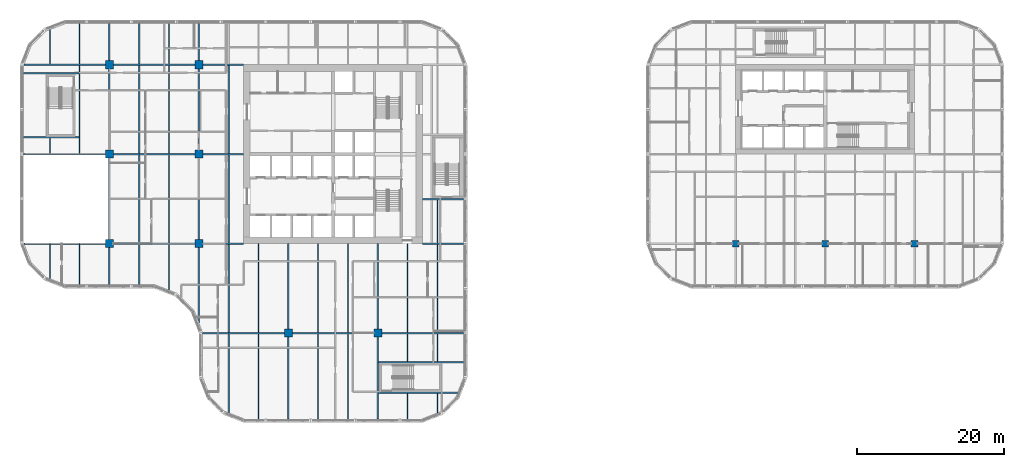
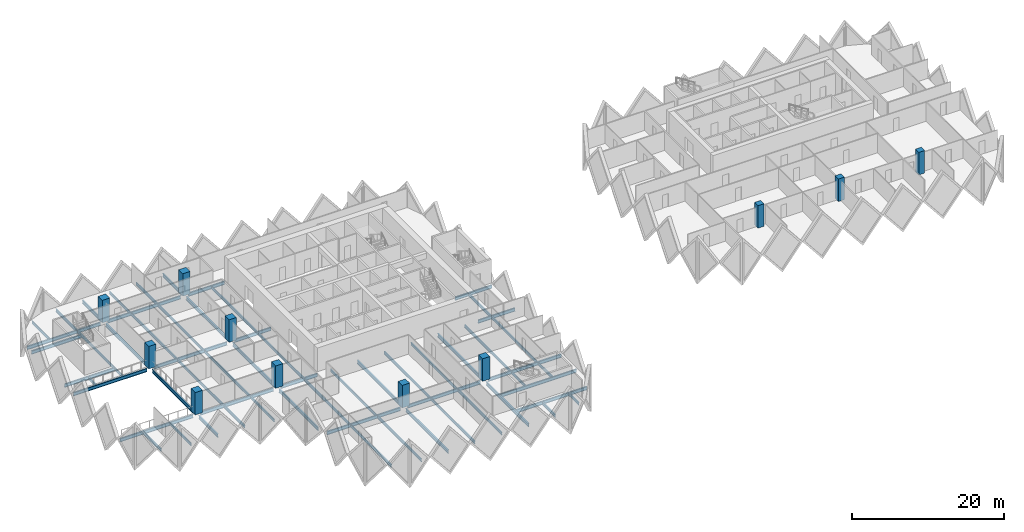
# One storey, part 1 of 19: 61 beams, 11 columns.
"""IFC4 building model written with IfcOpenShell, lengths in metres."""

from ifc_helpers import new_model, si_unit, direction, frame, origin, origin_2d, place, context, subcontext, project, spatial, rectangle, i_section, extrude, material, material_profile, profile_set, type_object, element, save


model = new_model("IFC4")

# Units and contexts
model_context = context("Model", 3, precision=1e-05, world=origin(), true_north=direction((0.0, 1.0)))
body_context = subcontext(model_context, "Body", "Model", "MODEL_VIEW")
ifc_project = project(units=[si_unit("LENGTHUNIT", "METRE"), si_unit("AREAUNIT", "SQUARE_METRE"), si_unit("VOLUMEUNIT", "CUBIC_METRE"), si_unit("PLANEANGLEUNIT", "RADIAN"), si_unit("MASSUNIT", "GRAM", prefix="KILO")], contexts=[model_context])

# Site, building, storey
site_placement = place(None, origin())
site = spatial("IfcSite", under=ifc_project, at=site_placement, CompositionType="ELEMENT")
building_placement = place(site_placement, origin())
building = spatial("IfcBuilding", under=site, at=building_placement, Name="Tessera Gate Towers", CompositionType="ELEMENT")
storey_placement = place(building_placement, frame((0.0, 0.0, 33.39990234375)))
storey = spatial("IfcBuildingStorey", under=building, at=storey_placement, Name="L07", CompositionType="ELEMENT", Elevation=33.39990234375)

# Columns
ifc_material_1 = material(Name="Concrete C70/85", Category="concrete")
ifc_material_profile_1 = material_profile(ifc_material_1, rectangle(XDim=1.10009765625, YDim=1.10009765625, at=origin_2d()), Name="RC 1100x1100")
ifc_profile_set_1 = profile_set([ifc_material_profile_1], Name="Concrete C70/85")
column_type_1 = type_object("IfcColumnType", Name="COLUMN RC 1100x1100", PredefinedType="COLUMN", material=ifc_profile_set_1)
for number, where, z_axis, x_axis, name in (
    (1, (12.199951171875, 24.39990234375, 0.0), (0.0, 0.0, 1.0), (1.0, 0.0, 0.0), "T1-COL-2C-L07"),
    (2, (12.199951171875, 36.60009765625, 0.0), (0.0, 0.0, 1.0), (1.0, 0.0, 0.0), "T1-COL-2D-L07"),
    (3, (12.199951171875, 48.800048828125, 0.0), (0.0, 0.0, 1.0), (1.0, 0.0, 0.0), "T1-COL-2E-L07"),
    (4, (24.39990234375, 24.39990234375, 0.0), (0.0, 0.0, 1.0), (1.0, 0.0, 0.0), "T1-COL-3C-L07"),
    (5, (24.39990234375, 36.60009765625, 0.0), (0.0, 0.0, 1.0), (1.0, 0.0, 0.0), "T1-COL-3D-L07"),
    (6, (24.39990234375, 48.800048828125, 0.0), (0.0, 0.0, 1.0), (1.0, 0.0, 0.0), "T1-COL-3E-L07"),
    (7, (36.60009765625, 12.199951171875, 0.0), (0.0, 0.0, 1.0), (1.0, 0.0, 0.0), "T1-COL-4B-L07"),
    (8, (48.800048828125, 12.199951171875, 0.0), (0.0, 0.0, 1.0), (1.0, 0.0, 0.0), "T1-COL-5B-L07"),
):
    element("IfcColumn", number, at=place(storey_placement, frame(where, z_axis=z_axis, x_axis=x_axis)), inside=storey, type_object=column_type_1, Name=name, PredefinedType="COLUMN", context=body_context, shape_type="SweptSolid", body=[
        extrude(rectangle(XDim=1.10009765625, YDim=1.10009765625, at=origin_2d()), origin(), (0.0, 0.0, 1.0), 3.60009765625),
    ])
ifc_material_2 = material(Name="Concrete C70/85", Category="concrete")
ifc_material_profile_2 = material_profile(ifc_material_2, rectangle(XDim=0.89990234375, YDim=0.89990234375, at=origin_2d()), Name="RC 900x900")
ifc_profile_set_2 = profile_set([ifc_material_profile_2], Name="Concrete C70/85")
column_type_2 = type_object("IfcColumnType", Name="COLUMN RC 900x900", PredefinedType="COLUMN", material=ifc_profile_set_2)
for number, where, z_axis, x_axis, name in (
    (9, (97.60009765625, 24.39990234375, 0.0), (0.0, 0.0, 1.0), (1.0, 0.0, 0.0), "T2-COL-9C-L07"),
    (10, (109.800048828125, 24.39990234375, 0.0), (0.0, 0.0, 1.0), (1.0, 0.0, 0.0), "T2-COL-10C-L07"),
    (11, (122.0, 24.39990234375, 0.0), (0.0, 0.0, 1.0), (1.0, 0.0, 0.0), "T2-COL-11C-L07"),
):
    element("IfcColumn", number, at=place(storey_placement, frame(where, z_axis=z_axis, x_axis=x_axis)), inside=storey, type_object=column_type_2, Name=name, PredefinedType="COLUMN", context=body_context, shape_type="SweptSolid", body=[
        extrude(rectangle(XDim=0.89990234375, YDim=0.89990234375, at=origin_2d()), origin(), (0.0, 0.0, 1.0), 3.60009765625),
    ])

# Beams
ifc_material_3 = material(Name="Steel 350W", Category="steel")
ifc_material_profile_3 = material_profile(ifc_material_3, i_section(OverallWidth=0.208984375, OverallDepth=0.532958984375, WebThickness=0.01025390625, FlangeThickness=0.015625, at=origin_2d()), Name="W530x92")
ifc_profile_set_3 = profile_set([ifc_material_profile_3], Name="Steel 350W")
beam_type_1 = type_object("IfcBeamType", Name="FLOOR GIRDER W530x92", PredefinedType="BEAM", material=ifc_profile_set_3)
beam_1_placement = place(storey_placement, frame((24.89892578125, 12.199951171875, -0.46630859375), z_axis=(1.0, 0.0, 0.0), x_axis=(0.0, 1.0, 0.0)))
element("IfcBeam", 12, at=beam_1_placement, inside=storey, type_object=beam_type_1, Name="T1-GD-L07-1157", PredefinedType="BEAM", context=body_context, shape_type="SweptSolid", body=[
    extrude(i_section(OverallWidth=0.208984375, OverallDepth=0.532958984375, WebThickness=0.01025390625, FlangeThickness=0.015625, at=origin_2d()), origin(), (0.0, 0.0, 1.0), 11.151123046875),
])
beam_2_placement = place(storey_placement, frame((37.14990234375, 12.199951171875, -0.46630859375), z_axis=(1.0, 0.0, 0.0), x_axis=(0.0, 1.0, 0.0)))
element("IfcBeam", 13, at=beam_2_placement, inside=storey, type_object=beam_type_1, Name="T1-GD-L07-1158", PredefinedType="BEAM", context=body_context, shape_type="SweptSolid", body=[
    extrude(i_section(OverallWidth=0.208984375, OverallDepth=0.532958984375, WebThickness=0.01025390625, FlangeThickness=0.015625, at=origin_2d()), origin(), (0.0, 0.0, 1.0), 11.10009765625),
])
beam_3_placement = place(storey_placement, frame((49.35009765625, 12.199951171875, -0.46630859375), z_axis=(1.0, 0.0, 0.0), x_axis=(0.0, 1.0, 0.0)))
element("IfcBeam", 14, at=beam_3_placement, inside=storey, type_object=beam_type_1, Name="T1-GD-L07-1159", PredefinedType="BEAM", context=body_context, shape_type="SweptSolid", body=[
    extrude(i_section(OverallWidth=0.208984375, OverallDepth=0.532958984375, WebThickness=0.01025390625, FlangeThickness=0.015625, at=origin_2d()), origin(), (0.0, 0.0, 1.0), 11.15087890625),
])
beam_4_placement = place(storey_placement, frame((0.534912109375, 24.39990234375, -0.46630859375), z_axis=(1.0, 0.0, 0.0), x_axis=(0.0, 1.0, 0.0)))
element("IfcBeam", 15, at=beam_4_placement, inside=storey, type_object=beam_type_1, Name="T1-GD-L07-1160", PredefinedType="BEAM", context=body_context, shape_type="SweptSolid", body=[
    extrude(i_section(OverallWidth=0.208984375, OverallDepth=0.532958984375, WebThickness=0.01025390625, FlangeThickness=0.015625, at=origin_2d()), origin(), (0.0, 0.0, 1.0), 11.114990234375),
])
beam_5_placement = place(storey_placement, frame((12.75, 24.39990234375, -0.46630859375), z_axis=(1.0, 0.0, 0.0), x_axis=(0.0, 1.0, 0.0)))
element("IfcBeam", 16, at=beam_5_placement, inside=storey, type_object=beam_type_1, Name="T1-GD-L07-1161", PredefinedType="BEAM", context=body_context, shape_type="SweptSolid", body=[
    extrude(i_section(OverallWidth=0.208984375, OverallDepth=0.532958984375, WebThickness=0.01025390625, FlangeThickness=0.015625, at=origin_2d()), origin(), (0.0, 0.0, 1.0), 11.10009765625),
])
beam_6_placement = place(storey_placement, frame((24.949951171875, 24.39990234375, -0.46630859375), z_axis=(1.0, 0.0, 0.0), x_axis=(0.0, 1.0, 0.0)))
element("IfcBeam", 17, at=beam_6_placement, inside=storey, type_object=beam_type_1, Name="T1-GD-L07-1162", PredefinedType="BEAM", context=body_context, shape_type="SweptSolid", body=[
    extrude(i_section(OverallWidth=0.208984375, OverallDepth=0.532958984375, WebThickness=0.01025390625, FlangeThickness=0.015625, at=origin_2d()), origin(), (0.0, 0.0, 1.0), 5.549072265625),
])
beam_7_placement = place(storey_placement, frame((54.90087890625, 24.39990234375, -0.46630859375), z_axis=(1.0, 0.0, 0.0), x_axis=(0.0, 1.0, 0.0)))
element("IfcBeam", 18, at=beam_7_placement, inside=storey, type_object=beam_type_1, Name="T1-GD-L07-1163", PredefinedType="BEAM", context=body_context, shape_type="SweptSolid", body=[
    extrude(i_section(OverallWidth=0.208984375, OverallDepth=0.532958984375, WebThickness=0.01025390625, FlangeThickness=0.015625, at=origin_2d()), origin(), (0.0, 0.0, 1.0), 5.60009765625),
])
beam_8_placement = place(storey_placement, frame((0.4990234375, 36.60009765625, -0.46630859375), z_axis=(1.0, 0.0, 0.0), x_axis=(0.0, 1.0, 0.0)))
element("IfcBeam", 19, at=beam_8_placement, inside=storey, type_object=beam_type_1, Name="T1-GD-L07-1164", PredefinedType="BEAM", context=body_context, shape_type="SweptSolid", body=[
    extrude(i_section(OverallWidth=0.208984375, OverallDepth=0.532958984375, WebThickness=0.01025390625, FlangeThickness=0.015625, at=origin_2d()), origin(), (0.0, 0.0, 1.0), 11.15087890625),
])
beam_9_placement = place(storey_placement, frame((12.75, 36.60009765625, -0.46630859375), z_axis=(1.0, 0.0, 0.0), x_axis=(0.0, 1.0, 0.0)))
element("IfcBeam", 20, at=beam_9_placement, inside=storey, type_object=beam_type_1, Name="T1-GD-L07-1165", PredefinedType="BEAM", context=body_context, shape_type="SweptSolid", body=[
    extrude(i_section(OverallWidth=0.208984375, OverallDepth=0.532958984375, WebThickness=0.01025390625, FlangeThickness=0.015625, at=origin_2d()), origin(), (0.0, 0.0, 1.0), 11.10009765625),
])
beam_10_placement = place(storey_placement, frame((24.949951171875, 36.60009765625, -0.46630859375), z_axis=(1.0, 0.0, 0.0), x_axis=(0.0, 1.0, 0.0)))
element("IfcBeam", 21, at=beam_10_placement, inside=storey, type_object=beam_type_1, Name="T1-GD-L07-1166", PredefinedType="BEAM", context=body_context, shape_type="SweptSolid", body=[
    extrude(i_section(OverallWidth=0.208984375, OverallDepth=0.532958984375, WebThickness=0.01025390625, FlangeThickness=0.015625, at=origin_2d()), origin(), (0.0, 0.0, 1.0), 5.551025390625),
])
beam_11_placement = place(storey_placement, frame((0.534912109375, 48.800048828125, -0.46630859375), z_axis=(1.0, 0.0, 0.0), x_axis=(0.0, 1.0, 0.0)))
element("IfcBeam", 22, at=beam_11_placement, inside=storey, type_object=beam_type_1, Name="T1-GD-L07-1168", PredefinedType="BEAM", context=body_context, shape_type="SweptSolid", body=[
    extrude(i_section(OverallWidth=0.208984375, OverallDepth=0.532958984375, WebThickness=0.01025390625, FlangeThickness=0.015625, at=origin_2d()), origin(), (0.0, 0.0, 1.0), 11.114990234375),
])
beam_12_placement = place(storey_placement, frame((12.75, 48.800048828125, -0.46630859375), z_axis=(1.0, 0.0, 0.0), x_axis=(0.0, 1.0, 0.0)))
element("IfcBeam", 23, at=beam_12_placement, inside=storey, type_object=beam_type_1, Name="T1-GD-L07-1169", PredefinedType="BEAM", context=body_context, shape_type="SweptSolid", body=[
    extrude(i_section(OverallWidth=0.208984375, OverallDepth=0.532958984375, WebThickness=0.01025390625, FlangeThickness=0.015625, at=origin_2d()), origin(), (0.0, 0.0, 1.0), 11.10009765625),
])
beam_13_placement = place(storey_placement, frame((24.949951171875, 48.800048828125, -0.46630859375), z_axis=(1.0, 0.0, 0.0), x_axis=(0.0, 1.0, 0.0)))
element("IfcBeam", 24, at=beam_13_placement, inside=storey, type_object=beam_type_1, Name="T1-GD-L07-1170", PredefinedType="BEAM", context=body_context, shape_type="SweptSolid", body=[
    extrude(i_section(OverallWidth=0.208984375, OverallDepth=0.532958984375, WebThickness=0.01025390625, FlangeThickness=0.015625, at=origin_2d()), origin(), (0.0, 0.0, 1.0), 5.549072265625),
])
beam_14_placement = place(storey_placement, frame((12.199951171875, 18.799072265625, -0.46630859375), z_axis=(0.0, 1.0, 0.0), x_axis=(-1.0, 0.0, 0.0)))
element("IfcBeam", 25, at=beam_14_placement, inside=storey, type_object=beam_type_1, Name="T1-GD-L07-1172", PredefinedType="BEAM", context=body_context, shape_type="SweptSolid", body=[
    extrude(i_section(OverallWidth=0.208984375, OverallDepth=0.532958984375, WebThickness=0.01025390625, FlangeThickness=0.015625, at=origin_2d()), origin(), (0.0, 0.0, 1.0), 5.051025390625),
])
for number, where, z_axis, x_axis, name in (
    (26, (12.199951171875, 24.949951171875, -0.46630859375), (0.0, 1.0, 0.0), (-1.0, 0.0, 0.0), "T1-GD-L07-1173"),
    (27, (12.199951171875, 37.14990234375, -0.46630859375), (0.0, 1.0, 0.0), (-1.0, 0.0, 0.0), "T1-GD-L07-1174"),
):
    element("IfcBeam", number, at=place(storey_placement, frame(where, z_axis=z_axis, x_axis=x_axis)), inside=storey, type_object=beam_type_1, Name=name, PredefinedType="BEAM", context=body_context, shape_type="SweptSolid", body=[
        extrude(i_section(OverallWidth=0.208984375, OverallDepth=0.532958984375, WebThickness=0.01025390625, FlangeThickness=0.015625, at=origin_2d()), origin(), (0.0, 0.0, 1.0), 11.10009765625),
    ])
beam_15_placement = place(storey_placement, frame((12.199951171875, 49.35009765625, -0.46630859375), z_axis=(0.0, 1.0, 0.0), x_axis=(-1.0, 0.0, 0.0)))
element("IfcBeam", 28, at=beam_15_placement, inside=storey, type_object=beam_type_1, Name="T1-GD-L07-1175", PredefinedType="BEAM", context=body_context, shape_type="SweptSolid", body=[
    extrude(i_section(OverallWidth=0.208984375, OverallDepth=0.532958984375, WebThickness=0.01025390625, FlangeThickness=0.015625, at=origin_2d()), origin(), (0.0, 0.0, 1.0), 5.05078125),
])
beam_16_placement = place(storey_placement, frame((24.39990234375, 13.58642578125, -0.46630859375), z_axis=(0.0, 1.0, 0.0), x_axis=(-1.0, 0.0, 0.0)))
element("IfcBeam", 29, at=beam_16_placement, inside=storey, type_object=beam_type_1, Name="T1-GD-L07-1176", PredefinedType="BEAM", context=body_context, shape_type="SweptSolid", body=[
    extrude(i_section(OverallWidth=0.208984375, OverallDepth=0.532958984375, WebThickness=0.01025390625, FlangeThickness=0.015625, at=origin_2d()), origin(), (0.0, 0.0, 1.0), 10.263671875),
])
for number, where, z_axis, x_axis, name in (
    (30, (24.39990234375, 24.949951171875, -0.46630859375), (0.0, 1.0, 0.0), (-1.0, 0.0, 0.0), "T1-GD-L07-1177"),
    (31, (24.39990234375, 37.14990234375, -0.46630859375), (0.0, 1.0, 0.0), (-1.0, 0.0, 0.0), "T1-GD-L07-1178"),
):
    element("IfcBeam", number, at=place(storey_placement, frame(where, z_axis=z_axis, x_axis=x_axis)), inside=storey, type_object=beam_type_1, Name=name, PredefinedType="BEAM", context=body_context, shape_type="SweptSolid", body=[
        extrude(i_section(OverallWidth=0.208984375, OverallDepth=0.532958984375, WebThickness=0.01025390625, FlangeThickness=0.015625, at=origin_2d()), origin(), (0.0, 0.0, 1.0), 11.10009765625),
    ])
beam_17_placement = place(storey_placement, frame((24.39990234375, 49.35009765625, -0.46630859375), z_axis=(0.0, 1.0, 0.0), x_axis=(-1.0, 0.0, 0.0)))
element("IfcBeam", 32, at=beam_17_placement, inside=storey, type_object=beam_type_1, Name="T1-GD-L07-1179", PredefinedType="BEAM", context=body_context, shape_type="SweptSolid", body=[
    extrude(i_section(OverallWidth=0.208984375, OverallDepth=0.532958984375, WebThickness=0.01025390625, FlangeThickness=0.015625, at=origin_2d()), origin(), (0.0, 0.0, 1.0), 5.05078125),
])
beam_18_placement = place(storey_placement, frame((36.60009765625, 0.4990234375, -0.46630859375), z_axis=(0.0, 1.0, 0.0), x_axis=(-1.0, 0.0, 0.0)))
element("IfcBeam", 33, at=beam_18_placement, inside=storey, type_object=beam_type_1, Name="T1-GD-L07-1180", PredefinedType="BEAM", context=body_context, shape_type="SweptSolid", body=[
    extrude(i_section(OverallWidth=0.208984375, OverallDepth=0.532958984375, WebThickness=0.01025390625, FlangeThickness=0.015625, at=origin_2d()), origin(), (0.0, 0.0, 1.0), 11.15087890625),
])
beam_19_placement = place(storey_placement, frame((36.60009765625, 12.75, -0.46630859375), z_axis=(0.0, 1.0, 0.0), x_axis=(-1.0, 0.0, 0.0)))
element("IfcBeam", 34, at=beam_19_placement, inside=storey, type_object=beam_type_1, Name="T1-GD-L07-1181", PredefinedType="BEAM", context=body_context, shape_type="SweptSolid", body=[
    extrude(i_section(OverallWidth=0.208984375, OverallDepth=0.532958984375, WebThickness=0.01025390625, FlangeThickness=0.015625, at=origin_2d()), origin(), (0.0, 0.0, 1.0), 11.64990234375),
])
beam_20_placement = place(storey_placement, frame((48.800048828125, 0.4990234375, -0.46630859375), z_axis=(0.0, 1.0, 0.0), x_axis=(-1.0, 0.0, 0.0)))
element("IfcBeam", 35, at=beam_20_placement, inside=storey, type_object=beam_type_1, Name="T1-GD-L07-1182", PredefinedType="BEAM", context=body_context, shape_type="SweptSolid", body=[
    extrude(i_section(OverallWidth=0.208984375, OverallDepth=0.532958984375, WebThickness=0.01025390625, FlangeThickness=0.015625, at=origin_2d()), origin(), (0.0, 0.0, 1.0), 11.15087890625),
])
beam_21_placement = place(storey_placement, frame((48.800048828125, 12.75, -0.46630859375), z_axis=(0.0, 1.0, 0.0), x_axis=(-1.0, 0.0, 0.0)))
element("IfcBeam", 36, at=beam_21_placement, inside=storey, type_object=beam_type_1, Name="T1-GD-L07-1183", PredefinedType="BEAM", context=body_context, shape_type="SweptSolid", body=[
    extrude(i_section(OverallWidth=0.208984375, OverallDepth=0.532958984375, WebThickness=0.01025390625, FlangeThickness=0.015625, at=origin_2d()), origin(), (0.0, 0.0, 1.0), 11.64990234375),
])
for number, where, z_axis, x_axis, name in (
    (37, (0.4990234375, 38.8798828125, -0.46630859375), (1.0, 0.0, 0.0), (0.0, 1.0, 0.0), "T1-GD-L07-1184"),
    (38, (0.4990234375, 47.6201171875, -0.46630859375), (1.0, 0.0, 0.0), (0.0, 1.0, 0.0), "T1-GD-L07-1185"),
):
    element("IfcBeam", number, at=place(storey_placement, frame(where, z_axis=z_axis, x_axis=x_axis)), inside=storey, type_object=beam_type_1, Name=name, PredefinedType="BEAM", context=body_context, shape_type="SweptSolid", body=[
        extrude(i_section(OverallWidth=0.208984375, OverallDepth=0.532958984375, WebThickness=0.01025390625, FlangeThickness=0.015625, at=origin_2d()), origin(), (0.0, 0.0, 1.0), 7.557861328125),
    ])
beam_22_placement = place(storey_placement, frame((48.87646484375, 4.080078125, -0.46630859375), z_axis=(1.0, 0.0, 0.0), x_axis=(0.0, 1.0, 0.0)))
element("IfcBeam", 39, at=beam_22_placement, inside=storey, type_object=beam_type_1, Name="T1-GD-L07-1186", PredefinedType="BEAM", context=body_context, shape_type="SweptSolid", body=[
    extrude(i_section(OverallWidth=0.208984375, OverallDepth=0.532958984375, WebThickness=0.01025390625, FlangeThickness=0.015625, at=origin_2d()), origin(), (0.0, 0.0, 1.0), 10.809326171875),
])
beam_23_placement = place(storey_placement, frame((48.87646484375, 8.219970703125, -0.46630859375), z_axis=(1.0, 0.0, 0.0), x_axis=(0.0, 1.0, 0.0)))
element("IfcBeam", 40, at=beam_23_placement, inside=storey, type_object=beam_type_1, Name="T1-GD-L07-1187", PredefinedType="BEAM", context=body_context, shape_type="SweptSolid", body=[
    extrude(i_section(OverallWidth=0.208984375, OverallDepth=0.532958984375, WebThickness=0.01025390625, FlangeThickness=0.015625, at=origin_2d()), origin(), (0.0, 0.0, 1.0), 11.62451171875),
])
beam_24_placement = place(storey_placement, frame((54.89892578125, 30.47998046875, -0.46630859375), z_axis=(1.0, 0.0, 0.0), x_axis=(0.0, 1.0, 0.0)))
element("IfcBeam", 41, at=beam_24_placement, inside=storey, type_object=beam_type_1, Name="T1-GD-L07-1188", PredefinedType="BEAM", context=body_context, shape_type="SweptSolid", body=[
    extrude(i_section(OverallWidth=0.208984375, OverallDepth=0.532958984375, WebThickness=0.01025390625, FlangeThickness=0.015625, at=origin_2d()), origin(), (0.0, 0.0, 1.0), 5.60205078125),
])
ifc_material_4 = material(Name="Steel 350W", Category="steel")
ifc_material_profile_4 = material_profile(ifc_material_4, i_section(OverallWidth=0.153076171875, OverallDepth=0.455078125, WebThickness=0.008056640625, FlangeThickness=0.01318359375, at=origin_2d()), Name="W460x60")
ifc_profile_set_4 = profile_set([ifc_material_profile_4], Name="Steel 350W")
beam_type_2 = type_object("IfcBeamType", Name="FLOOR SECONDARY W460x60", PredefinedType="BEAM", material=ifc_profile_set_4)
beam_25_placement = place(storey_placement, frame((4.066650390625, 19.620361328125, -0.427490234375), z_axis=(0.0, 1.0, 0.0), x_axis=(-1.0, 0.0, 0.0)))
element("IfcBeam", 42, at=beam_25_placement, inside=storey, type_object=beam_type_2, Name="T1-BM-L07-1191", PredefinedType="BEAM", context=body_context, shape_type="SweptSolid", body=[
    extrude(i_section(OverallWidth=0.153076171875, OverallDepth=0.455078125, WebThickness=0.008056640625, FlangeThickness=0.01318359375, at=origin_2d()), origin(), (0.0, 0.0, 1.0), 4.779541015625),
])
beam_26_placement = place(storey_placement, frame((4.066650390625, 36.70458984375, -0.427490234375), z_axis=(0.0, 1.0, 0.0), x_axis=(-1.0, 0.0, 0.0)))
element("IfcBeam", 43, at=beam_26_placement, inside=storey, type_object=beam_type_2, Name="T1-BM-L07-1192", PredefinedType="BEAM", context=body_context, shape_type="SweptSolid", body=[
    extrude(i_section(OverallWidth=0.153076171875, OverallDepth=0.455078125, WebThickness=0.008056640625, FlangeThickness=0.01318359375, at=origin_2d()), origin(), (0.0, 0.0, 1.0), 2.07080078125),
])
beam_27_placement = place(storey_placement, frame((4.066650390625, 48.904541015625, -0.427490234375), z_axis=(0.0, 1.0, 0.0), x_axis=(-1.0, 0.0, 0.0)))
element("IfcBeam", 44, at=beam_27_placement, inside=storey, type_object=beam_type_2, Name="T1-BM-L07-1193", PredefinedType="BEAM", context=body_context, shape_type="SweptSolid", body=[
    extrude(i_section(OverallWidth=0.153076171875, OverallDepth=0.455078125, WebThickness=0.008056640625, FlangeThickness=0.01318359375, at=origin_2d()), origin(), (0.0, 0.0, 1.0), 4.675048828125),
])
beam_28_placement = place(storey_placement, frame((8.13330078125, 18.800048828125, -0.427490234375), z_axis=(0.0, 1.0, 0.0), x_axis=(-1.0, 0.0, 0.0)))
element("IfcBeam", 45, at=beam_28_placement, inside=storey, type_object=beam_type_2, Name="T1-BM-L07-1194", PredefinedType="BEAM", context=body_context, shape_type="SweptSolid", body=[
    extrude(i_section(OverallWidth=0.153076171875, OverallDepth=0.455078125, WebThickness=0.008056640625, FlangeThickness=0.01318359375, at=origin_2d()), origin(), (0.0, 0.0, 1.0), 5.599853515625),
])
beam_29_placement = place(storey_placement, frame((8.13330078125, 36.70458984375, -0.427490234375), z_axis=(0.0, 1.0, 0.0), x_axis=(-1.0, 0.0, 0.0)))
element("IfcBeam", 46, at=beam_29_placement, inside=storey, type_object=beam_type_2, Name="T1-BM-L07-1195", PredefinedType="BEAM", context=body_context, shape_type="SweptSolid", body=[
    extrude(i_section(OverallWidth=0.153076171875, OverallDepth=0.455078125, WebThickness=0.008056640625, FlangeThickness=0.01318359375, at=origin_2d()), origin(), (0.0, 0.0, 1.0), 11.990966796875),
])
for number, where, z_axis, x_axis, name in (
    (47, (8.13330078125, 48.904541015625, -0.427490234375), (0.0, 1.0, 0.0), (-1.0, 0.0, 0.0), "T1-BM-L07-1196"),
    (48, (16.2666015625, 18.800048828125, -0.427490234375), (0.0, 1.0, 0.0), (-1.0, 0.0, 0.0), "T1-BM-L07-1197"),
):
    element("IfcBeam", number, at=place(storey_placement, frame(where, z_axis=z_axis, x_axis=x_axis)), inside=storey, type_object=beam_type_2, Name=name, PredefinedType="BEAM", context=body_context, shape_type="SweptSolid", body=[
        extrude(i_section(OverallWidth=0.153076171875, OverallDepth=0.455078125, WebThickness=0.008056640625, FlangeThickness=0.01318359375, at=origin_2d()), origin(), (0.0, 0.0, 1.0), 5.495361328125),
    ])
beam_30_placement = place(storey_placement, frame((16.2666015625, 24.50439453125, -0.427490234375), z_axis=(0.0, 1.0, 0.0), x_axis=(-1.0, 0.0, 0.0)))
element("IfcBeam", 49, at=beam_30_placement, inside=storey, type_object=beam_type_2, Name="T1-BM-L07-1198", PredefinedType="BEAM", context=body_context, shape_type="SweptSolid", body=[
    extrude(i_section(OverallWidth=0.153076171875, OverallDepth=0.455078125, WebThickness=0.008056640625, FlangeThickness=0.01318359375, at=origin_2d()), origin(), (0.0, 0.0, 1.0), 11.9912109375),
])
beam_31_placement = place(storey_placement, frame((16.2666015625, 36.70458984375, -0.427490234375), z_axis=(0.0, 1.0, 0.0), x_axis=(-1.0, 0.0, 0.0)))
element("IfcBeam", 50, at=beam_31_placement, inside=storey, type_object=beam_type_2, Name="T1-BM-L07-1199", PredefinedType="BEAM", context=body_context, shape_type="SweptSolid", body=[
    extrude(i_section(OverallWidth=0.153076171875, OverallDepth=0.455078125, WebThickness=0.008056640625, FlangeThickness=0.01318359375, at=origin_2d()), origin(), (0.0, 0.0, 1.0), 11.990966796875),
])
beam_32_placement = place(storey_placement, frame((16.2666015625, 48.904541015625, -0.427490234375), z_axis=(0.0, 1.0, 0.0), x_axis=(-1.0, 0.0, 0.0)))
element("IfcBeam", 51, at=beam_32_placement, inside=storey, type_object=beam_type_2, Name="T1-BM-L07-1200", PredefinedType="BEAM", context=body_context, shape_type="SweptSolid", body=[
    extrude(i_section(OverallWidth=0.153076171875, OverallDepth=0.455078125, WebThickness=0.008056640625, FlangeThickness=0.01318359375, at=origin_2d()), origin(), (0.0, 0.0, 1.0), 5.495361328125),
])
beam_33_placement = place(storey_placement, frame((20.333251953125, 18.051513671875, -0.427490234375), z_axis=(0.0, 1.0, 0.0), x_axis=(-1.0, 0.0, 0.0)))
element("IfcBeam", 52, at=beam_33_placement, inside=storey, type_object=beam_type_2, Name="T1-BM-L07-1201", PredefinedType="BEAM", context=body_context, shape_type="SweptSolid", body=[
    extrude(i_section(OverallWidth=0.153076171875, OverallDepth=0.455078125, WebThickness=0.008056640625, FlangeThickness=0.01318359375, at=origin_2d()), origin(), (0.0, 0.0, 1.0), 6.243896484375),
])
beam_34_placement = place(storey_placement, frame((20.333251953125, 24.50439453125, -0.427490234375), z_axis=(0.0, 1.0, 0.0), x_axis=(-1.0, 0.0, 0.0)))
element("IfcBeam", 53, at=beam_34_placement, inside=storey, type_object=beam_type_2, Name="T1-BM-L07-1202", PredefinedType="BEAM", context=body_context, shape_type="SweptSolid", body=[
    extrude(i_section(OverallWidth=0.153076171875, OverallDepth=0.455078125, WebThickness=0.008056640625, FlangeThickness=0.01318359375, at=origin_2d()), origin(), (0.0, 0.0, 1.0), 11.9912109375),
])
beam_35_placement = place(storey_placement, frame((20.333251953125, 36.70458984375, -0.427490234375), z_axis=(0.0, 1.0, 0.0), x_axis=(-1.0, 0.0, 0.0)))
element("IfcBeam", 54, at=beam_35_placement, inside=storey, type_object=beam_type_2, Name="T1-BM-L07-1203", PredefinedType="BEAM", context=body_context, shape_type="SweptSolid", body=[
    extrude(i_section(OverallWidth=0.153076171875, OverallDepth=0.455078125, WebThickness=0.008056640625, FlangeThickness=0.01318359375, at=origin_2d()), origin(), (0.0, 0.0, 1.0), 11.990966796875),
])
beam_36_placement = place(storey_placement, frame((20.333251953125, 48.904541015625, -0.427490234375), z_axis=(0.0, 1.0, 0.0), x_axis=(-1.0, 0.0, 0.0)))
element("IfcBeam", 55, at=beam_36_placement, inside=storey, type_object=beam_type_2, Name="T1-BM-L07-1204", PredefinedType="BEAM", context=body_context, shape_type="SweptSolid", body=[
    extrude(i_section(OverallWidth=0.153076171875, OverallDepth=0.455078125, WebThickness=0.008056640625, FlangeThickness=0.01318359375, at=origin_2d()), origin(), (0.0, 0.0, 1.0), 5.495361328125),
])
beam_37_placement = place(storey_placement, frame((28.466796875, 1.3203125, -0.427490234375), z_axis=(0.0, 1.0, 0.0), x_axis=(-1.0, 0.0, 0.0)))
element("IfcBeam", 56, at=beam_37_placement, inside=storey, type_object=beam_type_2, Name="T1-BM-L07-1205", PredefinedType="BEAM", context=body_context, shape_type="SweptSolid", body=[
    extrude(i_section(OverallWidth=0.153076171875, OverallDepth=0.455078125, WebThickness=0.008056640625, FlangeThickness=0.01318359375, at=origin_2d()), origin(), (0.0, 0.0, 1.0), 10.775146484375),
])
beam_38_placement = place(storey_placement, frame((28.466796875, 12.304443359375, -0.427490234375), z_axis=(0.0, 1.0, 0.0), x_axis=(-1.0, 0.0, 0.0)))
element("IfcBeam", 57, at=beam_38_placement, inside=storey, type_object=beam_type_2, Name="T1-BM-L07-1206", PredefinedType="BEAM", context=body_context, shape_type="SweptSolid", body=[
    extrude(i_section(OverallWidth=0.153076171875, OverallDepth=0.455078125, WebThickness=0.008056640625, FlangeThickness=0.01318359375, at=origin_2d()), origin(), (0.0, 0.0, 1.0), 11.990966796875),
])
beam_39_placement = place(storey_placement, frame((28.466796875, 24.50439453125, -0.427490234375), z_axis=(0.0, 1.0, 0.0), x_axis=(-1.0, 0.0, 0.0)))
element("IfcBeam", 58, at=beam_39_placement, inside=storey, type_object=beam_type_2, Name="T1-BM-L07-1207", PredefinedType="BEAM", context=body_context, shape_type="SweptSolid", body=[
    extrude(i_section(OverallWidth=0.153076171875, OverallDepth=0.455078125, WebThickness=0.008056640625, FlangeThickness=0.01318359375, at=origin_2d()), origin(), (0.0, 0.0, 1.0), 11.9912109375),
])
beam_40_placement = place(storey_placement, frame((28.466796875, 36.70458984375, -0.427490234375), z_axis=(0.0, 1.0, 0.0), x_axis=(-1.0, 0.0, 0.0)))
element("IfcBeam", 59, at=beam_40_placement, inside=storey, type_object=beam_type_2, Name="T1-BM-L07-1208", PredefinedType="BEAM", context=body_context, shape_type="SweptSolid", body=[
    extrude(i_section(OverallWidth=0.153076171875, OverallDepth=0.455078125, WebThickness=0.008056640625, FlangeThickness=0.01318359375, at=origin_2d()), origin(), (0.0, 0.0, 1.0), 11.990966796875),
])
beam_41_placement = place(storey_placement, frame((32.533203125, 0.5, -0.427490234375), z_axis=(0.0, 1.0, 0.0), x_axis=(-1.0, 0.0, 0.0)))
element("IfcBeam", 60, at=beam_41_placement, inside=storey, type_object=beam_type_2, Name="T1-BM-L07-1210", PredefinedType="BEAM", context=body_context, shape_type="SweptSolid", body=[
    extrude(i_section(OverallWidth=0.153076171875, OverallDepth=0.455078125, WebThickness=0.008056640625, FlangeThickness=0.01318359375, at=origin_2d()), origin(), (0.0, 0.0, 1.0), 11.595458984375),
])
beam_42_placement = place(storey_placement, frame((32.533203125, 12.304443359375, -0.427490234375), z_axis=(0.0, 1.0, 0.0), x_axis=(-1.0, 0.0, 0.0)))
element("IfcBeam", 61, at=beam_42_placement, inside=storey, type_object=beam_type_2, Name="T1-BM-L07-1211", PredefinedType="BEAM", context=body_context, shape_type="SweptSolid", body=[
    extrude(i_section(OverallWidth=0.153076171875, OverallDepth=0.455078125, WebThickness=0.008056640625, FlangeThickness=0.01318359375, at=origin_2d()), origin(), (0.0, 0.0, 1.0), 12.095458984375),
])
beam_43_placement = place(storey_placement, frame((40.666748046875, 0.5, -0.427490234375), z_axis=(0.0, 1.0, 0.0), x_axis=(-1.0, 0.0, 0.0)))
element("IfcBeam", 62, at=beam_43_placement, inside=storey, type_object=beam_type_2, Name="T1-BM-L07-1214", PredefinedType="BEAM", context=body_context, shape_type="SweptSolid", body=[
    extrude(i_section(OverallWidth=0.153076171875, OverallDepth=0.455078125, WebThickness=0.008056640625, FlangeThickness=0.01318359375, at=origin_2d()), origin(), (0.0, 0.0, 1.0), 11.595458984375),
])
beam_44_placement = place(storey_placement, frame((40.666748046875, 12.304443359375, -0.427490234375), z_axis=(0.0, 1.0, 0.0), x_axis=(-1.0, 0.0, 0.0)))
element("IfcBeam", 63, at=beam_44_placement, inside=storey, type_object=beam_type_2, Name="T1-BM-L07-1215", PredefinedType="BEAM", context=body_context, shape_type="SweptSolid", body=[
    extrude(i_section(OverallWidth=0.153076171875, OverallDepth=0.455078125, WebThickness=0.008056640625, FlangeThickness=0.01318359375, at=origin_2d()), origin(), (0.0, 0.0, 1.0), 12.095458984375),
])
beam_45_placement = place(storey_placement, frame((44.7333984375, 0.5, -0.427490234375), z_axis=(0.0, 1.0, 0.0), x_axis=(-1.0, 0.0, 0.0)))
element("IfcBeam", 64, at=beam_45_placement, inside=storey, type_object=beam_type_2, Name="T1-BM-L07-1217", PredefinedType="BEAM", context=body_context, shape_type="SweptSolid", body=[
    extrude(i_section(OverallWidth=0.153076171875, OverallDepth=0.455078125, WebThickness=0.008056640625, FlangeThickness=0.01318359375, at=origin_2d()), origin(), (0.0, 0.0, 1.0), 11.595458984375),
])
beam_46_placement = place(storey_placement, frame((44.7333984375, 12.304443359375, -0.427490234375), z_axis=(0.0, 1.0, 0.0), x_axis=(-1.0, 0.0, 0.0)))
element("IfcBeam", 65, at=beam_46_placement, inside=storey, type_object=beam_type_2, Name="T1-BM-L07-1218", PredefinedType="BEAM", context=body_context, shape_type="SweptSolid", body=[
    extrude(i_section(OverallWidth=0.153076171875, OverallDepth=0.455078125, WebThickness=0.008056640625, FlangeThickness=0.01318359375, at=origin_2d()), origin(), (0.0, 0.0, 1.0), 12.095458984375),
])
beam_47_placement = place(storey_placement, frame((52.86669921875, 0.5, -0.427490234375), z_axis=(0.0, 1.0, 0.0), x_axis=(-1.0, 0.0, 0.0)))
element("IfcBeam", 66, at=beam_47_placement, inside=storey, type_object=beam_type_2, Name="T1-BM-L07-1221", PredefinedType="BEAM", context=body_context, shape_type="SweptSolid", body=[
    extrude(i_section(OverallWidth=0.153076171875, OverallDepth=0.455078125, WebThickness=0.008056640625, FlangeThickness=0.01318359375, at=origin_2d()), origin(), (0.0, 0.0, 1.0), 3.4755859375),
])
beam_48_placement = place(storey_placement, frame((52.86669921875, 8.324462890625, -0.427490234375), z_axis=(0.0, 1.0, 0.0), x_axis=(-1.0, 0.0, 0.0)))
element("IfcBeam", 67, at=beam_48_placement, inside=storey, type_object=beam_type_2, Name="T1-BM-L07-1222", PredefinedType="BEAM", context=body_context, shape_type="SweptSolid", body=[
    extrude(i_section(OverallWidth=0.153076171875, OverallDepth=0.455078125, WebThickness=0.008056640625, FlangeThickness=0.01318359375, at=origin_2d()), origin(), (0.0, 0.0, 1.0), 3.77099609375),
])
beam_49_placement = place(storey_placement, frame((52.86669921875, 12.304443359375, -0.427490234375), z_axis=(0.0, 1.0, 0.0), x_axis=(-1.0, 0.0, 0.0)))
element("IfcBeam", 68, at=beam_49_placement, inside=storey, type_object=beam_type_2, Name="T1-BM-L07-1223", PredefinedType="BEAM", context=body_context, shape_type="SweptSolid", body=[
    extrude(i_section(OverallWidth=0.153076171875, OverallDepth=0.455078125, WebThickness=0.008056640625, FlangeThickness=0.01318359375, at=origin_2d()), origin(), (0.0, 0.0, 1.0), 12.095458984375),
])
beam_50_placement = place(storey_placement, frame((56.933349609375, 1.3203125, -0.427490234375), z_axis=(0.0, 1.0, 0.0), x_axis=(-1.0, 0.0, 0.0)))
element("IfcBeam", 69, at=beam_50_placement, inside=storey, type_object=beam_type_2, Name="T1-BM-L07-1225", PredefinedType="BEAM", context=body_context, shape_type="SweptSolid", body=[
    extrude(i_section(OverallWidth=0.153076171875, OverallDepth=0.455078125, WebThickness=0.008056640625, FlangeThickness=0.01318359375, at=origin_2d()), origin(), (0.0, 0.0, 1.0), 2.6552734375),
])
beam_51_placement = place(storey_placement, frame((56.933349609375, 8.324462890625, -0.427490234375), z_axis=(0.0, 1.0, 0.0), x_axis=(-1.0, 0.0, 0.0)))
element("IfcBeam", 70, at=beam_51_placement, inside=storey, type_object=beam_type_2, Name="T1-BM-L07-1226", PredefinedType="BEAM", context=body_context, shape_type="SweptSolid", body=[
    extrude(i_section(OverallWidth=0.153076171875, OverallDepth=0.455078125, WebThickness=0.008056640625, FlangeThickness=0.01318359375, at=origin_2d()), origin(), (0.0, 0.0, 1.0), 3.77099609375),
])
beam_52_placement = place(storey_placement, frame((56.933349609375, 12.304443359375, -0.427490234375), z_axis=(0.0, 1.0, 0.0), x_axis=(-1.0, 0.0, 0.0)))
element("IfcBeam", 71, at=beam_52_placement, inside=storey, type_object=beam_type_2, Name="T1-BM-L07-1227", PredefinedType="BEAM", context=body_context, shape_type="SweptSolid", body=[
    extrude(i_section(OverallWidth=0.153076171875, OverallDepth=0.455078125, WebThickness=0.008056640625, FlangeThickness=0.01318359375, at=origin_2d()), origin(), (0.0, 0.0, 1.0), 11.990966796875),
])
beam_53_placement = place(storey_placement, frame((56.933349609375, 24.50439453125, -0.427490234375), z_axis=(0.0, 1.0, 0.0), x_axis=(-1.0, 0.0, 0.0)))
element("IfcBeam", 72, at=beam_53_placement, inside=storey, type_object=beam_type_2, Name="T1-BM-L07-1228", PredefinedType="BEAM", context=body_context, shape_type="SweptSolid", body=[
    extrude(i_section(OverallWidth=0.153076171875, OverallDepth=0.455078125, WebThickness=0.008056640625, FlangeThickness=0.01318359375, at=origin_2d()), origin(), (0.0, 0.0, 1.0), 5.87109375),
])

save(model, "model.ifc")
